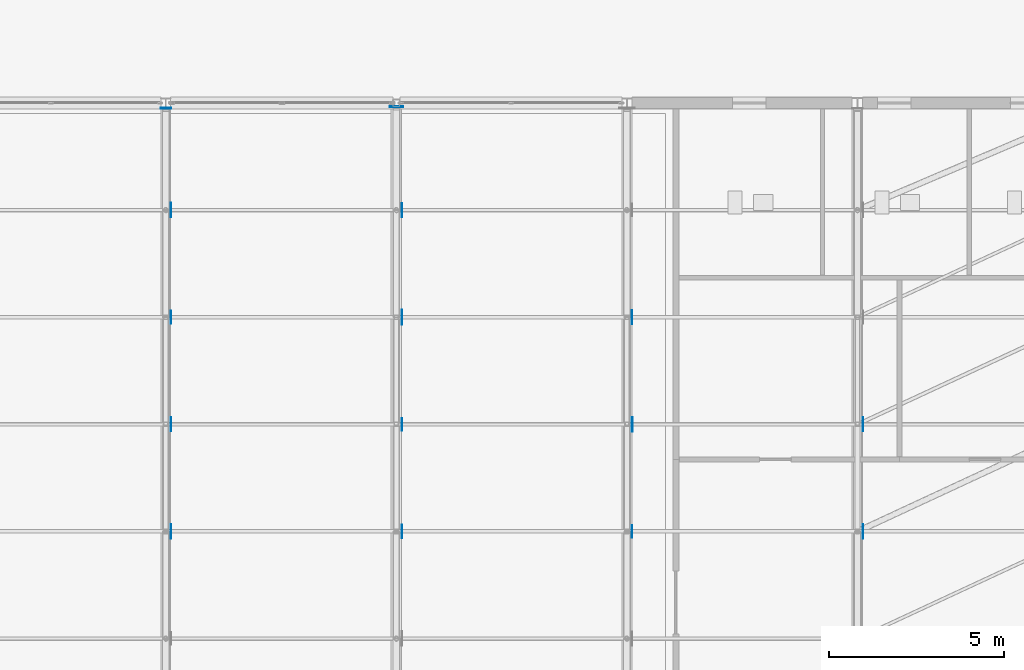
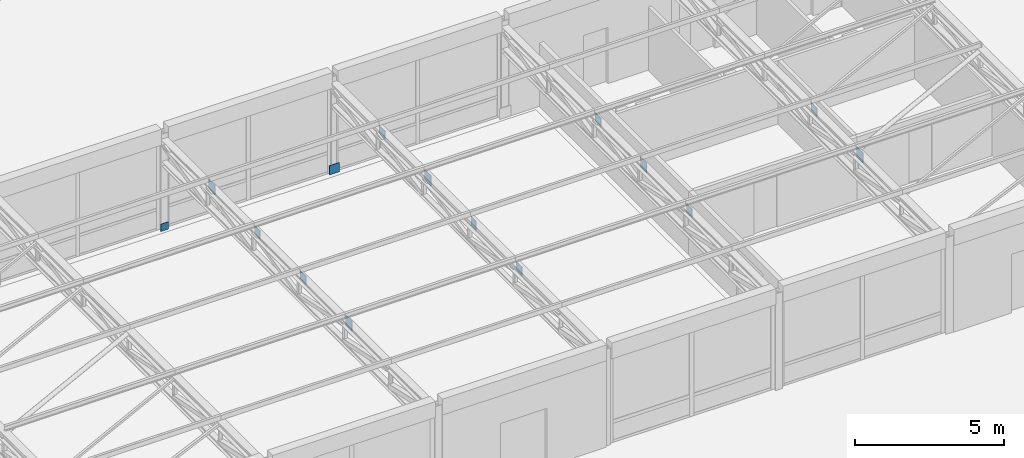
# One storey, part 58 of 92: 15 plates.
"""IFC4 building model written with IfcOpenShell, lengths in metres."""

from ifc_helpers import new_model, si_unit, direction, frame, origin, origin_2d, place, context, subcontext, project, spatial, rectangle, extrude, material, layer, layer_set, type_object, element, save


model = new_model("IFC4")

# Units and contexts
model_context = context("Model", 3, precision=1e-05, world=origin(), true_north=direction((0.0, 1.0)))
body_context = subcontext(model_context, "Body", "Model", "MODEL_VIEW")
ifc_project = project(units=[si_unit("LENGTHUNIT", "METRE"), si_unit("AREAUNIT", "SQUARE_METRE"), si_unit("VOLUMEUNIT", "CUBIC_METRE"), si_unit("PLANEANGLEUNIT", "RADIAN"), si_unit("MASSUNIT", "GRAM", prefix="KILO")], contexts=[model_context])

# Site, building, storey
site_placement = place(None, origin())
site = spatial("IfcSite", under=ifc_project, at=site_placement, CompositionType="ELEMENT")
building_placement = place(site_placement, origin())
building = spatial("IfcBuilding", under=site, at=building_placement, Name="Kernevlak Ridge Housing Community", CompositionType="ELEMENT")
storey_placement = place(building_placement, frame((0.0, 0.0, 4.199951171875)))
storey = spatial("IfcBuildingStorey", under=building, at=storey_placement, Name="L01", CompositionType="ELEMENT", Elevation=4.199951171875)

# Plates
ifc_material = material(Name="Steel S355", Category="steel")
ifc_layer_1 = layer(ifc_material, 0.01611328125, Name="Steel S355")
ifc_layer_set_1 = layer_set([ifc_layer_1], Name="Steel S355")
plate_type_1 = type_object("IfcPlateType", Name="GP-01", PredefinedType="USERDEFINED", material=ifc_layer_set_1)
for number, where, z_axis, x_axis, name in (
    (1, (77.548095703125, 62.066650390625, 3.31005859375), (0.0, 0.0, 1.0), (1.0, 0.0, 0.0), "Roof truss 3 node gusset plate 4"),
    (2, (84.157958984375, 59.0, 3.22998046875), (0.0, 0.0, 1.0), (1.0, 0.0, 0.0), "Roof truss 4 node gusset plate 3"),
    (3, (90.748046875, 55.933349609375, 3.31005859375), (0.0, 0.0, 1.0), (1.0, 0.0, 0.0), "Roof truss 5 node gusset plate 2"),
):
    element("IfcPlate", number, at=place(storey_placement, frame(where, z_axis=z_axis, x_axis=x_axis)), inside=storey, type_object=plate_type_1, Name=name, ObjectType="GUSSET_PLATE", PredefinedType="USERDEFINED", context=body_context, shape_type="SweptSolid", body=[
        extrude(rectangle(XDim=0.01611328125, YDim=0.360107421875, at=origin_2d()), origin(), (0.0, 0.0, 1.0), 0.360107421875),
    ])
ifc_layer_2 = layer(ifc_material, 0.02001953125, Name="Steel S355")
ifc_layer_set_2 = layer_set([ifc_layer_2], Name="Steel S355")
plate_type_2 = type_object("IfcPlateType", Name="GP-02", PredefinedType="USERDEFINED", material=ifc_layer_set_2)
for number, where, z_axis, x_axis, name in (
    (4, (77.550048828125, 55.933349609375, 3.280029296875), (0.0, 0.0, 1.0), (1.0, 0.0, 0.0), "Roof truss 3 node gusset plate 2"),
    (5, (77.550048828125, 65.13330078125, 3.280029296875), (0.0, 0.0, 1.0), (1.0, 0.0, 0.0), "Roof truss 3 node gusset plate 5"),
    (6, (84.159912109375, 62.066650390625, 3.2001953125), (0.0, 0.0, 1.0), (1.0, 0.0, 0.0), "Roof truss 4 node gusset plate 4"),
    (7, (90.75, 59.0, 3.280029296875), (0.0, 0.0, 1.0), (1.0, 0.0, 0.0), "Roof truss 5 node gusset plate 3"),
    (8, (97.360107421875, 55.933349609375, 3.239990234375), (0.0, 0.0, 1.0), (1.0, 0.0, 0.0), "Roof truss 6 node gusset plate 2"),
):
    element("IfcPlate", number, at=place(storey_placement, frame(where, z_axis=z_axis, x_axis=x_axis)), inside=storey, type_object=plate_type_2, Name=name, ObjectType="GUSSET_PLATE", PredefinedType="USERDEFINED", context=body_context, shape_type="SweptSolid", body=[
        extrude(rectangle(XDim=0.02001953125, YDim=0.419921875, at=origin_2d()), origin(), (0.0, 0.0, 1.0), 0.419921875),
    ])
ifc_layer_3 = layer(ifc_material, 0.01806640625, Name="Steel S355")
ifc_layer_set_3 = layer_set([ifc_layer_3], Name="Steel S355")
plate_type_3 = type_object("IfcPlateType", Name="GP-03", PredefinedType="USERDEFINED", material=ifc_layer_set_3)
for number, where, z_axis, x_axis, name in (
    (9, (77.549072265625, 59.0, 3.31982421875), (0.0, 0.0, 1.0), (1.0, 0.0, 0.0), "Roof truss 3 node gusset plate 3"),
    (10, (84.158935546875, 55.933349609375, 3.240234375), (0.0, 0.0, 1.0), (1.0, 0.0, 0.0), "Roof truss 4 node gusset plate 2"),
    (11, (84.158935546875, 65.13330078125, 3.240234375), (0.0, 0.0, 1.0), (1.0, 0.0, 0.0), "Roof truss 4 node gusset plate 5"),
    (12, (90.7490234375, 62.066650390625, 3.31982421875), (0.0, 0.0, 1.0), (1.0, 0.0, 0.0), "Roof truss 5 node gusset plate 4"),
    (13, (97.35888671875, 59.0, 3.27978515625), (0.0, 0.0, 1.0), (1.0, 0.0, 0.0), "Roof truss 6 node gusset plate 3"),
):
    element("IfcPlate", number, at=place(storey_placement, frame(where, z_axis=z_axis, x_axis=x_axis)), inside=storey, type_object=plate_type_3, Name=name, ObjectType="GUSSET_PLATE", PredefinedType="USERDEFINED", context=body_context, shape_type="SweptSolid", body=[
        extrude(rectangle(XDim=0.01806640625, YDim=0.39990234375, at=origin_2d()), origin(), (0.0, 0.0, 1.0), 0.340087890625),
    ])
ifc_layer_4 = layer(ifc_material, 0.01806640625, Name="Steel S355")
ifc_layer_set_4 = layer_set([ifc_layer_4], Name="Steel S355")
plate_type_4 = type_object("IfcPlateType", Name="GP-04", PredefinedType="USERDEFINED", material=ifc_layer_set_4)
plate_1_placement = place(storey_placement, frame((77.39990234375, 68.051025390625, 0.0), z_axis=(0.0, 0.0, 1.0), x_axis=(1.0, 0.0, 0.0)))
element("IfcPlate", 14, at=plate_1_placement, inside=storey, type_object=plate_type_4, Name="Truss column bearing stiffener plate 3.2", ObjectType="STIFFENER_PLATE", PredefinedType="USERDEFINED", context=body_context, shape_type="SweptSolid", body=[
    extrude(rectangle(XDim=0.300048828125, YDim=0.01806640625, at=origin_2d()), origin(), (0.0, 0.0, 1.0), 0.300048828125),
])
ifc_layer_5 = layer(ifc_material, 0.02197265625, Name="Steel S355")
ifc_layer_set_5 = layer_set([ifc_layer_5], Name="Steel S355")
plate_type_5 = type_object("IfcPlateType", Name="GP-05", PredefinedType="USERDEFINED", material=ifc_layer_set_5)
plate_2_placement = place(storey_placement, frame((84.0, 68.089111328125, 0.0), z_axis=(0.0, 0.0, 1.0), x_axis=(1.0, 0.0, 0.0)))
element("IfcPlate", 15, at=plate_2_placement, inside=storey, type_object=plate_type_5, Name="Truss column bearing stiffener plate 4.2", ObjectType="STIFFENER_PLATE", PredefinedType="USERDEFINED", context=body_context, shape_type="SweptSolid", body=[
    extrude(rectangle(XDim=0.3798828125, YDim=0.02197265625, at=origin_2d()), origin(), (0.0, 0.0, 1.0), 0.3798828125),
])

save(model, "model.ifc")
